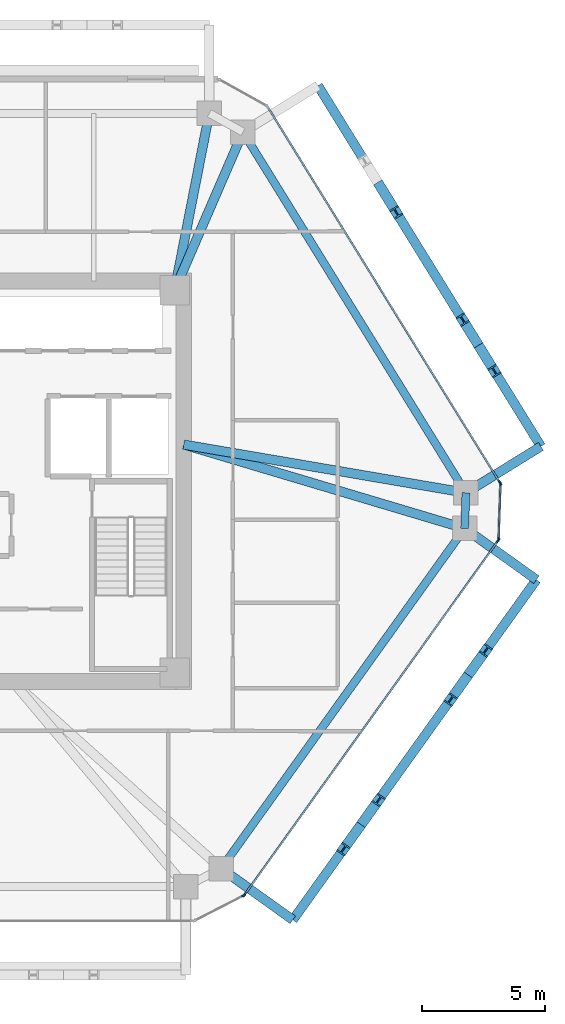
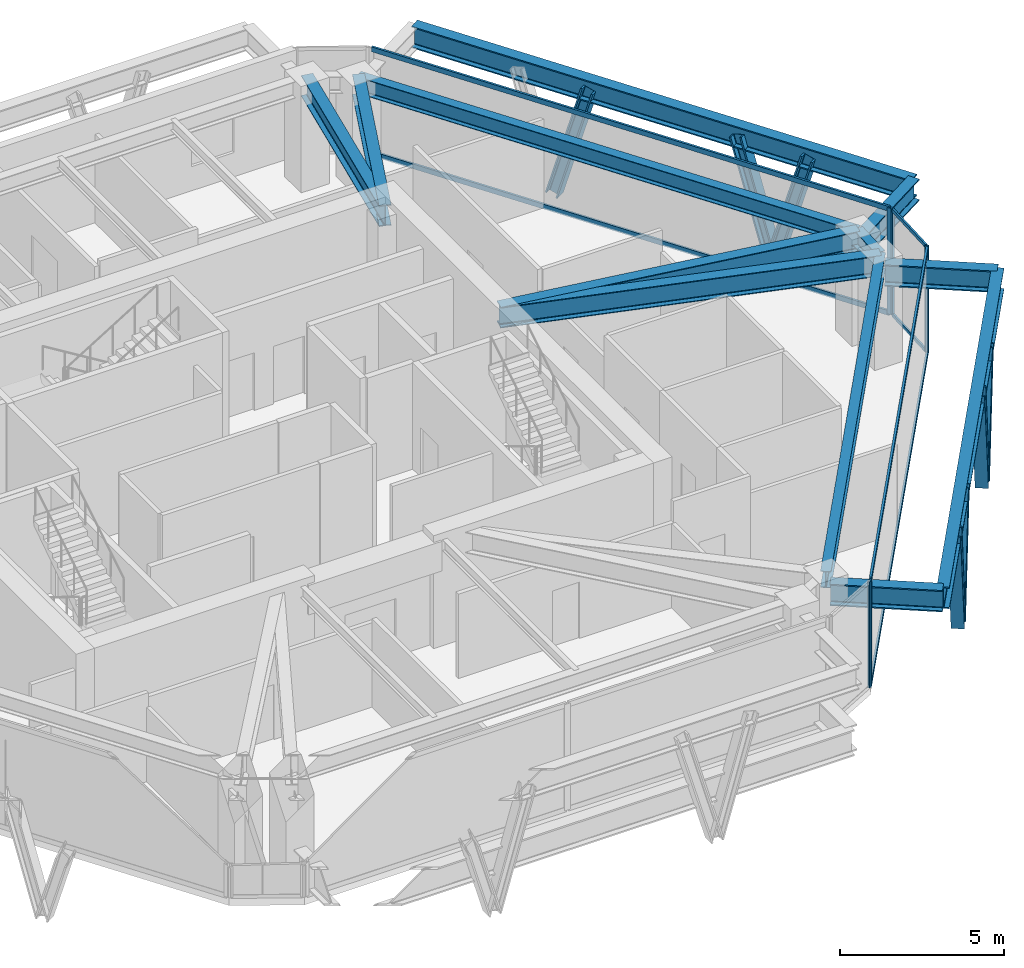
# One storey, part 5 of 11: 19 members, 12 beams, 4 elements without a shape of their own.
"""IFC4 building model written with IfcOpenShell, lengths in metres."""

from ifc_helpers import new_model, si_unit, direction, frame, origin, origin_2d, place, context, subcontext, project, spatial, rectangle, i_section, extrude, source, transform, mapped, material, layer, layer_set, material_profile, profile_set, type_object, type_shapes, element, aggregate, save


model = new_model("IFC4")

# Units and contexts
model_context = context("Model", 3, precision=1e-05, world=origin(), true_north=direction((0.0, 1.0)))
body_context = subcontext(model_context, "Body", "Model", "MODEL_VIEW")
ifc_project = project(units=[si_unit("LENGTHUNIT", "METRE"), si_unit("AREAUNIT", "SQUARE_METRE"), si_unit("VOLUMEUNIT", "CUBIC_METRE"), si_unit("PLANEANGLEUNIT", "RADIAN"), si_unit("MASSUNIT", "GRAM", prefix="KILO")], contexts=[model_context])

# Site, building, storey
site_placement = place(None, origin())
site = spatial("IfcSite", under=ifc_project, at=site_placement, CompositionType="ELEMENT")
building_placement = place(site_placement, origin())
building = spatial("IfcBuilding", under=site, at=building_placement, Name="Durnholm Broadcast Tower", CompositionType="ELEMENT")
storey_placement = place(building_placement, frame((0.0, 0.0, 155.10009765625)))
storey = spatial("IfcBuildingStorey", under=building, at=storey_placement, Name="L42", CompositionType="ELEMENT", Elevation=155.10009765625)

# Beams
ifc_material_1 = material(Name="Steel ASTM A992 Grade 50", Category="steel")
ifc_material_profile_1 = material_profile(ifc_material_1, i_section(OverallWidth=0.385009765625, OverallDepth=0.802978515625, WebThickness=0.023681640625, FlangeThickness=0.0419921875, FilletRadius=0.032958984375, at=origin_2d()), Name="W30X261")
ifc_profile_set_1 = profile_set([ifc_material_profile_1], Name="Steel ASTM A992 Grade 50")
beam_type_1 = type_object("IfcBeamType", Name="BM-EXO-TIE", PredefinedType="USERDEFINED", material=ifc_profile_set_1)
shared_shape_1 = source(origin(), body_context, "Body", "SweptSolid", [
    extrude(i_section(OverallWidth=0.385009765625, OverallDepth=0.802978515625, WebThickness=0.023681640625, FlangeThickness=0.0419921875, FilletRadius=0.032958984375, at=origin_2d()), origin(), (0.0, 0.0, 1.0), 3.4560546875),
])
for number, where, z_axis, x_axis, name in (
    (1, (11.81689453125, -15.884033203125, 3.20849609375), (0.813079048773, -0.582153296346, 0.0), (0.582153296346, 0.813079048773, 0.0), "L42 exoskeleton stand-off tie bracket F2.1"),
    (2, (21.7548828125, -2.00341796875, 3.20849609375), (0.813079048773, -0.582153296346, 0.0), (0.582153296346, 0.813079048773, 0.0), "L42 exoskeleton stand-off tie bracket F2.2"),
    (3, (21.8095703125, -0.3916015625, 3.20849609375), (0.850662348375, 0.525712439512, 0.0), (-0.525712439512, 0.850662348375, 0.0), "L42 exoskeleton stand-off tie bracket F3.1"),
):
    element("IfcBeam", number, at=place(storey_placement, frame(where, z_axis=z_axis, x_axis=x_axis)), inside=storey, type_object=beam_type_1, Name=name, ObjectType="GIRDER", PredefinedType="USERDEFINED", context=body_context, shape_type="MappedRepresentation", body=[
        mapped(shared_shape_1, transform((0.0, 0.0, 0.0), x_axis=(1.0, 0.0, 0.0), y_axis=(0.0, 1.0, 0.0), z_axis=(0.0, 0.0, 1.0), scale=1.0)),
    ])
ifc_material_profile_2 = material_profile(ifc_material_1, i_section(OverallWidth=0.3251953125, OverallDepth=0.6162109375, WebThickness=0.013916015625, FlangeThickness=0.021484375, FilletRadius=0.02783203125, at=origin_2d()), Name="W24X117")
ifc_profile_set_2 = profile_set([ifc_material_profile_2], Name="Steel ASTM A992 Grade 50")
beam_type_2 = type_object("IfcBeamType", Name="STL-SP-W24X117", PredefinedType="SPANDREL", material=ifc_profile_set_2)
shared_shape_2 = source(origin(), body_context, "Body", "SweptSolid", [
    extrude(i_section(OverallWidth=0.3251953125, OverallDepth=0.6162109375, WebThickness=0.013916015625, FlangeThickness=0.021484375, FilletRadius=0.02783203125, at=origin_2d()), origin(), (0.0, 0.0, 1.0), 17.30322265625),
])
beam_1_placement = place(storey_placement, frame((12.5908203125, 14.252197265625, 3.63671875), z_axis=(0.525691424148, -0.850675335588, 0.0), x_axis=(0.850675335588, 0.525691424148, 0.0)))
element("IfcBeam", 4, at=beam_1_placement, inside=storey, type_object=beam_type_2, Name="L42 perimeter spandrel girder 07", PredefinedType="SPANDREL", context=body_context, shape_type="MappedRepresentation", body=[
    mapped(shared_shape_2, transform((0.0, 0.0, 0.0), x_axis=(1.0, 0.0, 0.0), y_axis=(0.0, 1.0, 0.0), z_axis=(0.0, 0.0, 1.0), scale=1.0)),
])
shared_shape_3 = source(origin(), body_context, "Body", "SweptSolid", [
    extrude(i_section(OverallWidth=0.3251953125, OverallDepth=0.6162109375, WebThickness=0.013916015625, FlangeThickness=0.021484375, FilletRadius=0.02783203125, at=origin_2d()), origin(), (0.0, 0.0, 1.0), 1.453125),
])
beam_2_placement = place(storey_placement, frame((21.68701171875, -0.46728515625, 3.63671875), z_axis=(-0.033767922326, -0.99942970109, 0.0), x_axis=(0.99942970109, -0.033767922326, 0.0)))
element("IfcBeam", 5, at=beam_2_placement, inside=storey, type_object=beam_type_2, Name="L42 perimeter spandrel girder 08", PredefinedType="SPANDREL", context=body_context, shape_type="MappedRepresentation", body=[
    mapped(shared_shape_3, transform((0.0, 0.0, 0.0), x_axis=(1.0, 0.0, 0.0), y_axis=(0.0, 1.0, 0.0), z_axis=(0.0, 0.0, 1.0), scale=1.0)),
])
shared_shape_4 = source(origin(), body_context, "Body", "SweptSolid", [
    extrude(i_section(OverallWidth=0.3251953125, OverallDepth=0.6162109375, WebThickness=0.013916015625, FlangeThickness=0.021484375, FilletRadius=0.02783203125, at=origin_2d()), origin(), (0.0, 0.0, 1.0), 17.071533203125),
])
type_shapes(beam_type_2, [shared_shape_2, shared_shape_3, shared_shape_4])
beam_3_placement = place(storey_placement, frame((21.637939453125, -1.919677734375, 3.63671875), z_axis=(-0.582149612352, -0.813081686449, 0.0), x_axis=(0.813081686449, -0.582149612352, 0.0)))
element("IfcBeam", 6, at=beam_3_placement, inside=storey, type_object=beam_type_2, Name="L42 perimeter spandrel girder 09", PredefinedType="SPANDREL", context=body_context, shape_type="MappedRepresentation", body=[
    mapped(shared_shape_4, transform((0.0, 0.0, 0.0), x_axis=(1.0, 0.0, 0.0), y_axis=(0.0, 1.0, 0.0), z_axis=(0.0, 0.0, 1.0), scale=1.0)),
])
ifc_material_profile_3 = material_profile(ifc_material_1, i_section(OverallWidth=0.380615234375, OverallDepth=0.773193359375, WebThickness=0.0166015625, FlangeThickness=0.027099609375, FilletRadius=0.032958984375, at=origin_2d()), Name="W30X173")
ifc_profile_set_3 = profile_set([ifc_material_profile_3], Name="Steel ASTM A992 Grade 50")
beam_type_3 = type_object("IfcBeamType", Name="STL-GR-W30X173", PredefinedType="USERDEFINED", material=ifc_profile_set_3)
shared_shape_5 = source(origin(), body_context, "Body", "SweptSolid", [
    extrude(i_section(OverallWidth=0.380615234375, OverallDepth=0.773193359375, WebThickness=0.0166015625, FlangeThickness=0.027099609375, FilletRadius=0.032958984375, at=origin_2d()), origin(), (0.0, 0.0, 1.0), 7.35595703125),
])
beam_4_placement = place(storey_placement, frame((9.800048828125, 7.800048828125, 3.558349609375), z_axis=(0.192700221893, 0.981257674865, 0.0), x_axis=(-0.981257674865, 0.192700221893, 0.0)))
element("IfcBeam", 7, at=beam_4_placement, inside=storey, type_object=beam_type_3, Name="L42 radial primary floor girder 06", ObjectType="GIRDER", PredefinedType="USERDEFINED", context=body_context, shape_type="MappedRepresentation", body=[
    mapped(shared_shape_5, transform((0.0, 0.0, 0.0), x_axis=(1.0, 0.0, 0.0), y_axis=(0.0, 1.0, 0.0), z_axis=(0.0, 0.0, 1.0), scale=1.0)),
])
shared_shape_6 = source(origin(), body_context, "Body", "SweptSolid", [
    extrude(i_section(OverallWidth=0.380615234375, OverallDepth=0.773193359375, WebThickness=0.0166015625, FlangeThickness=0.027099609375, FilletRadius=0.032958984375, at=origin_2d()), origin(), (0.0, 0.0, 1.0), 7.02978515625),
])
beam_5_placement = place(storey_placement, frame((9.800048828125, 7.800048828125, 3.558349609375), z_axis=(0.396989434191, 0.91782317967, 0.0), x_axis=(-0.91782317967, 0.396989434191, 0.0)))
element("IfcBeam", 8, at=beam_5_placement, inside=storey, type_object=beam_type_3, Name="L42 radial primary floor girder 07", ObjectType="GIRDER", PredefinedType="USERDEFINED", context=body_context, shape_type="MappedRepresentation", body=[
    mapped(shared_shape_6, transform((0.0, 0.0, 0.0), x_axis=(1.0, 0.0, 0.0), y_axis=(0.0, 1.0, 0.0), z_axis=(0.0, 0.0, 1.0), scale=1.0)),
])
shared_shape_7 = source(origin(), body_context, "Body", "SweptSolid", [
    extrude(i_section(OverallWidth=0.385009765625, OverallDepth=0.802978515625, WebThickness=0.023681640625, FlangeThickness=0.0419921875, FilletRadius=0.032958984375, at=origin_2d()), origin(), (0.0, 0.0, 1.0), 17.071533203125),
])
beam_6_placement = place(storey_placement, frame((14.626953125, -17.89599609375, 3.20849609375), z_axis=(0.582140157836, 0.813088455603, 0.0), x_axis=(-0.813088455603, 0.582140157836, 0.0)))
element("IfcBeam", 9, at=beam_6_placement, inside=storey, type_object=beam_type_1, Name="L42 exoskeleton collector spandrel F2", PredefinedType="SPANDREL", context=body_context, shape_type="MappedRepresentation", body=[
    mapped(shared_shape_7, transform((0.0, 0.0, 0.0), x_axis=(1.0, 0.0, 0.0), y_axis=(0.0, 1.0, 0.0), z_axis=(0.0, 0.0, 1.0), scale=1.0)),
])
shared_shape_8 = source(origin(), body_context, "Body", "SweptSolid", [
    extrude(i_section(OverallWidth=0.385009765625, OverallDepth=0.802978515625, WebThickness=0.023681640625, FlangeThickness=0.0419921875, FilletRadius=0.032958984375, at=origin_2d()), origin(), (0.0, 0.0, 1.0), 17.303466796875),
])
type_shapes(beam_type_1, [shared_shape_1, shared_shape_7, shared_shape_8])
beam_7_placement = place(storey_placement, frame((24.74951171875, 1.42529296875, 3.20849609375), z_axis=(-0.525701634347, 0.850669025911, 0.0), x_axis=(-0.850669025911, -0.525701634347, 0.0)))
element("IfcBeam", 10, at=beam_7_placement, inside=storey, type_object=beam_type_1, Name="L42 exoskeleton collector spandrel F3", PredefinedType="SPANDREL", context=body_context, shape_type="MappedRepresentation", body=[
    mapped(shared_shape_8, transform((0.0, 0.0, 0.0), x_axis=(1.0, 0.0, 0.0), y_axis=(0.0, 1.0, 0.0), z_axis=(0.0, 0.0, 1.0), scale=1.0)),
])
shared_shape_9 = source(origin(), body_context, "Body", "SweptSolid", [
    extrude(i_section(OverallWidth=0.380615234375, OverallDepth=0.773193359375, WebThickness=0.0166015625, FlangeThickness=0.027099609375, FilletRadius=0.032958984375, at=origin_2d()), origin(), (0.0, 0.0, 1.0), 11.678955078125),
])
beam_8_placement = place(storey_placement, frame((10.175048828125, 1.5, 3.558349609375), z_axis=(0.985710446264, -0.168448556317, 0.0), x_axis=(0.168448556317, 0.985710446264, 0.0)))
element("IfcBeam", 11, at=beam_8_placement, inside=storey, type_object=beam_type_3, Name="L42 radial primary floor girder 08", ObjectType="GIRDER", PredefinedType="USERDEFINED", context=body_context, shape_type="MappedRepresentation", body=[
    mapped(shared_shape_9, transform((0.0, 0.0, 0.0), x_axis=(1.0, 0.0, 0.0), y_axis=(0.0, 1.0, 0.0), z_axis=(0.0, 0.0, 1.0), scale=1.0)),
])
shared_shape_10 = source(origin(), body_context, "Body", "SweptSolid", [
    extrude(i_section(OverallWidth=0.380615234375, OverallDepth=0.773193359375, WebThickness=0.0166015625, FlangeThickness=0.027099609375, FilletRadius=0.032958984375, at=origin_2d()), origin(), (0.0, 0.0, 1.0), 11.962158203125),
])
type_shapes(beam_type_3, [shared_shape_5, shared_shape_6, shared_shape_9, shared_shape_10])
beam_9_placement = place(storey_placement, frame((10.175048828125, 1.5, 3.558349609375), z_axis=(0.958266673737, -0.285875815706, 0.0), x_axis=(0.285875815706, 0.958266673737, 0.0)))
element("IfcBeam", 12, at=beam_9_placement, inside=storey, type_object=beam_type_3, Name="L42 radial primary floor girder 09", ObjectType="GIRDER", PredefinedType="USERDEFINED", context=body_context, shape_type="MappedRepresentation", body=[
    mapped(shared_shape_10, transform((0.0, 0.0, 0.0), x_axis=(1.0, 0.0, 0.0), y_axis=(0.0, 1.0, 0.0), z_axis=(0.0, 0.0, 1.0), scale=1.0)),
])

# Members
ifc_material_2 = material(Name="Steel ASTM A913 Grade 65", Category="steel")
ifc_material_profile_4 = material_profile(ifc_material_2, i_section(OverallWidth=0.412109375, OverallDepth=0.434814453125, WebThickness=0.035888671875, FlangeThickness=0.057373046875, FilletRadius=0.030517578125, at=origin_2d()), Name="W14X311")
ifc_profile_set_4 = profile_set([ifc_material_profile_4], Name="Steel ASTM A913 Grade 65")
member_type_1 = type_object("IfcMemberType", Name="STL-DG-W14X311", PredefinedType="BRACE", material=ifc_profile_set_4)
shared_shape_11 = source(origin(), body_context, "Body", "SweptSolid", [
    extrude(i_section(OverallWidth=0.412109375, OverallDepth=0.434814453125, WebThickness=0.035888671875, FlangeThickness=0.057373046875, FilletRadius=0.030517578125, at=origin_2d()), origin(), (0.0, 0.0, 1.0), 4.454345703125),
])
type_shapes(member_type_1, [shared_shape_11])
for number, where, z_axis, x_axis, name in (
    (13, (17.40966796875, -14.009521484375, -1.071533203125), (-0.161250824633, -0.225214017138, 0.960872945836), (0.813077820009, -0.582155012526, 0.0), "L42 stand-off diagrid brace F2.D1.1"),
    (14, (17.40966796875, -14.009521484375, -1.071533203125), (0.161250824633, 0.225214017138, 0.960872945836), (-0.813077820009, 0.582155012526, 0.0), "L42 stand-off diagrid brace F2.D1.2"),
    (15, (21.782470703125, -7.90185546875, -1.071533203125), (-0.161250824633, -0.225214017138, 0.960872945836), (0.813077820009, -0.582155012526, 0.0), "L42 stand-off diagrid brace F2.D2.1"),
    (16, (21.782470703125, -7.90185546875, -1.071533203125), (0.161197439151, 0.2252160073, 0.960881436842), (-0.813171482985, 0.58202417412, 0.0), "L42 stand-off diagrid brace F2.D2.2"),
    (17, (22.202392578125, 5.546875, -1.071533203125), (0.145629598725, -0.235627265683, 0.960870340703), (0.850644447398, 0.525741404219, 0.0), "L42 stand-off diagrid brace F3.D1.1"),
    (18, (22.202392578125, 5.546875, -1.071533203125), (-0.145577830617, 0.235577378009, 0.960890417375), (-0.85067825406, -0.525686701439, 0.0), "L42 stand-off diagrid brace F3.D1.2"),
    (19, (18.2001953125, 12.023193359375, -1.071533203125), (0.145577830617, -0.235577378009, 0.960890417375), (0.85067825406, 0.525686701439, 0.0), "L42 stand-off diagrid brace F3.D2.1"),
):
    element("IfcMember", number, at=place(storey_placement, frame(where, z_axis=z_axis, x_axis=x_axis)), inside=storey, type_object=member_type_1, Name=name, PredefinedType="BRACE", context=body_context, shape_type="MappedRepresentation", body=[
        mapped(shared_shape_11, transform((0.0, 0.0, 0.0), x_axis=(1.0, 0.0, 0.0), y_axis=(0.0, 1.0, 0.0), z_axis=(0.0, 0.0, 1.0), scale=1.0)),
    ])

# Curtain wall, members
ifc_material_3 = material(Name="Aluminium and Solar Control IGU", Category="aluminium")
ifc_layer_1 = layer(ifc_material_3, 0.1650390625)
ifc_layer_set_1 = layer_set([ifc_layer_1], Name="Aluminium and Solar Control IGU")
curtain_wall_type_1 = type_object("IfcCurtainWallType", Name="CW-SYS-5", PredefinedType="NOTDEFINED", material=ifc_layer_set_1)
curtain_wall_1_placement = place(storey_placement, origin())
curtain_wall_1 = element("IfcCurtainWall", 20, at=curtain_wall_1_placement, inside=storey, type_object=curtain_wall_type_1, Name="L42 curtain wall CW-CORNER CW-L42-CRN-07", PredefinedType="NOTDEFINED")
ifc_material_4 = material(Name="Aluminium 6063-T6", Category="aluminium")
ifc_material_profile_5 = material_profile(ifc_material_4, rectangle(XDim=0.06494140625, YDim=0.1650390625, at=origin_2d()), Name="CWM65X165")
ifc_profile_set_5 = profile_set([ifc_material_profile_5], Name="Aluminium 6063-T6")
member_type_2 = type_object("IfcMemberType", Name="CW-SYS-5-MUL", PredefinedType="MULLION", material=ifc_profile_set_5)
shared_shape_12 = source(origin(), body_context, "Body", "SweptSolid", [
    extrude(rectangle(XDim=0.06494140625, YDim=0.1650390625, at=origin_2d()), origin(), (0.0, 0.0, 1.0), 3.9599609375),
])
type_shapes(member_type_2, [shared_shape_12])
member_1_placement = place(storey_placement, frame((23.099609375, -0.1240234375, 0.0), z_axis=(0.0, 0.0, 1.0), x_axis=(0.999424798802, -0.033912704699, 0.0)))
member_1 = element("IfcMember", 21, at=member_1_placement, type_object=member_type_2, Name="CW-CORNER mullion 1", PredefinedType="MULLION", context=body_context, shape_type="MappedRepresentation", body=[
    mapped(shared_shape_12, transform((0.0, 0.0, 0.0), x_axis=(1.0, 0.0, 0.0), y_axis=(0.0, 1.0, 0.0), z_axis=(0.0, 0.0, 1.0), scale=1.0)),
])
member_2_placement = place(storey_placement, frame((23.023681640625, -2.35791015625, 0.0), z_axis=(0.0, 0.0, 1.0), x_axis=(0.999424798802, -0.033912704699, 0.0)))
member_2 = element("IfcMember", 22, at=member_2_placement, type_object=member_type_2, Name="CW-CORNER mullion 2", PredefinedType="MULLION", context=body_context, shape_type="MappedRepresentation", body=[
    mapped(shared_shape_12, transform((0.0, 0.0, 0.0), x_axis=(1.0, 0.0, 0.0), y_axis=(0.0, 1.0, 0.0), z_axis=(0.0, 0.0, 1.0), scale=1.0)),
])

# Curtain wall, member
curtain_wall_2_placement = place(storey_placement, origin())
curtain_wall_2 = element("IfcCurtainWall", 23, at=curtain_wall_2_placement, inside=storey, type_object=curtain_wall_type_1, Name="L42 curtain wall CW-CORNER CW-L42-CRN-09", PredefinedType="NOTDEFINED")
member_3_placement = place(storey_placement, frame((12.612060546875, -16.905517578125, 0.0), z_axis=(0.0, 0.0, 1.0), x_axis=(0.457081764476, -0.889424679545, 0.0)))
member_3 = element("IfcMember", 24, at=member_3_placement, type_object=member_type_2, Name="CW-CORNER mullion 1", PredefinedType="MULLION", context=body_context, shape_type="MappedRepresentation", body=[
    mapped(shared_shape_12, transform((0.0, 0.0, 0.0), x_axis=(1.0, 0.0, 0.0), y_axis=(0.0, 1.0, 0.0), z_axis=(0.0, 0.0, 1.0), scale=1.0)),
])
aggregate(curtain_wall_2, [member_3])

ifc_layer_2 = layer(ifc_material_3, 0.219970703125)
ifc_layer_set_2 = layer_set([ifc_layer_2], Name="Aluminium and Solar Control IGU")
curtain_wall_type_2 = type_object("IfcCurtainWallType", Name="CW-SYS-6", PredefinedType="NOTDEFINED", material=ifc_layer_set_2)
curtain_wall_3_placement = place(storey_placement, origin())
curtain_wall_3 = element("IfcCurtainWall", 25, at=curtain_wall_3_placement, inside=storey, type_object=curtain_wall_type_2, Name="L42 curtain wall CW-AMENITY CW-L42-F06", PredefinedType="NOTDEFINED")
ifc_material_profile_6 = material_profile(ifc_material_4, rectangle(XDim=0.074951171875, YDim=0.219970703125, at=origin_2d()), Name="CWM75X220")
ifc_profile_set_6 = profile_set([ifc_material_profile_6], Name="Aluminium 6063-T6")
member_type_3 = type_object("IfcMemberType", Name="CW-SYS-6-MUL", PredefinedType="MULLION", material=ifc_profile_set_6)
shared_shape_13 = source(origin(), body_context, "Body", "SweptSolid", [
    extrude(rectangle(XDim=0.074951171875, YDim=0.219970703125, at=origin_2d()), origin(), (0.0, 0.0, 1.0), 3.9599609375),
])
type_shapes(member_type_3, [shared_shape_13])
member_4_placement = place(storey_placement, frame((23.0810546875, -0.059814453125, 0.0), z_axis=(0.0, 0.0, 1.0), x_axis=(0.850671426092, 0.525697750452, 0.0)))
member_4 = element("IfcMember", 26, at=member_4_placement, type_object=member_type_3, Name="CW-AMENITY mullion 2", PredefinedType="MULLION", context=body_context, shape_type="MappedRepresentation", body=[
    mapped(shared_shape_13, transform((0.0, 0.0, 0.0), x_axis=(1.0, 0.0, 0.0), y_axis=(0.0, 1.0, 0.0), z_axis=(0.0, 0.0, 1.0), scale=1.0)),
])

# Curtain wall, members
curtain_wall_4_placement = place(storey_placement, origin())
curtain_wall_4 = element("IfcCurtainWall", 27, at=curtain_wall_4_placement, inside=storey, type_object=curtain_wall_type_2, Name="L42 curtain wall CW-AMENITY CW-L42-F08", PredefinedType="NOTDEFINED")
member_5_placement = place(storey_placement, frame((23.0009765625, -2.4208984375, 0.0), z_axis=(0.0, 0.0, 1.0), x_axis=(0.813089262696, -0.582139030549, 0.0)))
member_5 = element("IfcMember", 28, at=member_5_placement, type_object=member_type_3, Name="CW-AMENITY mullion 1", PredefinedType="MULLION", context=body_context, shape_type="MappedRepresentation", body=[
    mapped(shared_shape_13, transform((0.0, 0.0, 0.0), x_axis=(1.0, 0.0, 0.0), y_axis=(0.0, 1.0, 0.0), z_axis=(0.0, 0.0, 1.0), scale=1.0)),
])
member_6_placement = place(storey_placement, frame((12.662841796875, -16.860107421875, 0.0), z_axis=(0.0, 0.0, 1.0), x_axis=(0.813089262696, -0.582139030549, 0.0)))
member_6 = element("IfcMember", 29, at=member_6_placement, type_object=member_type_3, Name="CW-AMENITY mullion 2", PredefinedType="MULLION", context=body_context, shape_type="MappedRepresentation", body=[
    mapped(shared_shape_13, transform((0.0, 0.0, 0.0), x_axis=(1.0, 0.0, 0.0), y_axis=(0.0, 1.0, 0.0), z_axis=(0.0, 0.0, 1.0), scale=1.0)),
])
ifc_material_profile_7 = material_profile(ifc_material_4, rectangle(XDim=0.074951171875, YDim=0.179931640625, at=origin_2d()), Name="CWT75X180")
ifc_profile_set_7 = profile_set([ifc_material_profile_7], Name="Aluminium 6063-T6")
member_type_4 = type_object("IfcMemberType", Name="CW-SYS-6-TRN", PredefinedType="USERDEFINED", material=ifc_profile_set_7)
shared_shape_14 = source(origin(), body_context, "Body", "SweptSolid", [
    extrude(rectangle(XDim=0.074951171875, YDim=0.179931640625, at=origin_2d()), origin(), (0.0, 0.0, 1.0), 17.683837890625),
])
member_7_placement = place(storey_placement, frame((22.97900390625, -2.451171875, 0.037353515625), z_axis=(-0.582135030354, -0.813092126659, 0.0), x_axis=(0.813092126659, -0.582135030354, 0.0)))
member_7 = element("IfcMember", 30, at=member_7_placement, type_object=member_type_4, Name="CW-AMENITY transom 1.1", ObjectType="TRANSOM", PredefinedType="USERDEFINED", context=body_context, shape_type="MappedRepresentation", body=[
    mapped(shared_shape_14, transform((0.0, 0.0, 0.0), x_axis=(1.0, 0.0, 0.0), y_axis=(0.0, 1.0, 0.0), z_axis=(0.0, 0.0, 1.0), scale=1.0)),
])
member_8_placement = place(storey_placement, frame((22.97900390625, -2.451171875, 3.92236328125), z_axis=(-0.582135030354, -0.813092126659, 0.0), x_axis=(0.813092126659, -0.582135030354, 0.0)))
member_8 = element("IfcMember", 31, at=member_8_placement, type_object=member_type_4, Name="CW-AMENITY transom 1.2", ObjectType="TRANSOM", PredefinedType="USERDEFINED", context=body_context, shape_type="MappedRepresentation", body=[
    mapped(shared_shape_14, transform((0.0, 0.0, 0.0), x_axis=(1.0, 0.0, 0.0), y_axis=(0.0, 1.0, 0.0), z_axis=(0.0, 0.0, 1.0), scale=1.0)),
])
aggregate(curtain_wall_4, [member_5, member_6, member_7, member_8])

# Member
shared_shape_15 = source(origin(), body_context, "Body", "SweptSolid", [
    extrude(rectangle(XDim=0.074951171875, YDim=0.179931640625, at=origin_2d()), origin(), (0.0, 0.0, 1.0), 17.941162109375),
])
type_shapes(member_type_4, [shared_shape_14, shared_shape_15])
member_9_placement = place(storey_placement, frame((13.629638671875, 15.234130859375, 0.037353515625), z_axis=(0.52570000842, -0.850670030709, 0.0), x_axis=(0.850670030709, 0.52570000842, 0.0)))
member_9 = element("IfcMember", 32, at=member_9_placement, type_object=member_type_4, Name="CW-AMENITY transom 1.1", ObjectType="TRANSOM", PredefinedType="USERDEFINED", context=body_context, shape_type="MappedRepresentation", body=[
    mapped(shared_shape_15, transform((0.0, 0.0, 0.0), x_axis=(1.0, 0.0, 0.0), y_axis=(0.0, 1.0, 0.0), z_axis=(0.0, 0.0, 1.0), scale=1.0)),
])

member_10_placement = place(storey_placement, frame((13.629638671875, 15.234130859375, 3.92236328125), z_axis=(0.52570000842, -0.850670030709, 0.0), x_axis=(0.850670030709, 0.52570000842, 0.0)))
member_10 = element("IfcMember", 33, at=member_10_placement, type_object=member_type_4, Name="CW-AMENITY transom 1.2", ObjectType="TRANSOM", PredefinedType="USERDEFINED", context=body_context, shape_type="MappedRepresentation", body=[
    mapped(shared_shape_15, transform((0.0, 0.0, 0.0), x_axis=(1.0, 0.0, 0.0), y_axis=(0.0, 1.0, 0.0), z_axis=(0.0, 0.0, 1.0), scale=1.0)),
])

aggregate(curtain_wall_3, [member_4, member_9, member_10])

ifc_material_profile_8 = material_profile(ifc_material_4, rectangle(XDim=0.06494140625, YDim=0.1298828125, at=origin_2d()), Name="CWT65X130")
ifc_profile_set_8 = profile_set([ifc_material_profile_8], Name="Aluminium 6063-T6")
member_type_5 = type_object("IfcMemberType", Name="CW-SYS-5-TRN", PredefinedType="USERDEFINED", material=ifc_profile_set_8)
shared_shape_16 = source(origin(), body_context, "Body", "SweptSolid", [
    extrude(rectangle(XDim=0.06494140625, YDim=0.1298828125, at=origin_2d()), origin(), (0.0, 0.0, 1.0), 2.170166015625),
])
type_shapes(member_type_5, [shared_shape_16])
member_11_placement = place(storey_placement, frame((23.098388671875, -0.156494140625, 0.032470703125), z_axis=(-0.033861704743, -0.999426528041, 0.0), x_axis=(0.999426528041, -0.033861704743, 0.0)))
member_11 = element("IfcMember", 34, at=member_11_placement, type_object=member_type_5, Name="CW-CORNER transom 1.1", ObjectType="TRANSOM", PredefinedType="USERDEFINED", context=body_context, shape_type="MappedRepresentation", body=[
    mapped(shared_shape_16, transform((0.0, 0.0, 0.0), x_axis=(1.0, 0.0, 0.0), y_axis=(0.0, 1.0, 0.0), z_axis=(0.0, 0.0, 1.0), scale=1.0)),
])

member_12_placement = place(storey_placement, frame((23.098388671875, -0.156494140625, 3.927490234375), z_axis=(-0.033861704743, -0.999426528041, 0.0), x_axis=(0.999426528041, -0.033861704743, 0.0)))
member_12 = element("IfcMember", 35, at=member_12_placement, type_object=member_type_5, Name="CW-CORNER transom 1.2", ObjectType="TRANSOM", PredefinedType="USERDEFINED", context=body_context, shape_type="MappedRepresentation", body=[
    mapped(shared_shape_16, transform((0.0, 0.0, 0.0), x_axis=(1.0, 0.0, 0.0), y_axis=(0.0, 1.0, 0.0), z_axis=(0.0, 0.0, 1.0), scale=1.0)),
])

aggregate(curtain_wall_1, [member_1, member_2, member_11, member_12])

save(model, "model.ifc")
